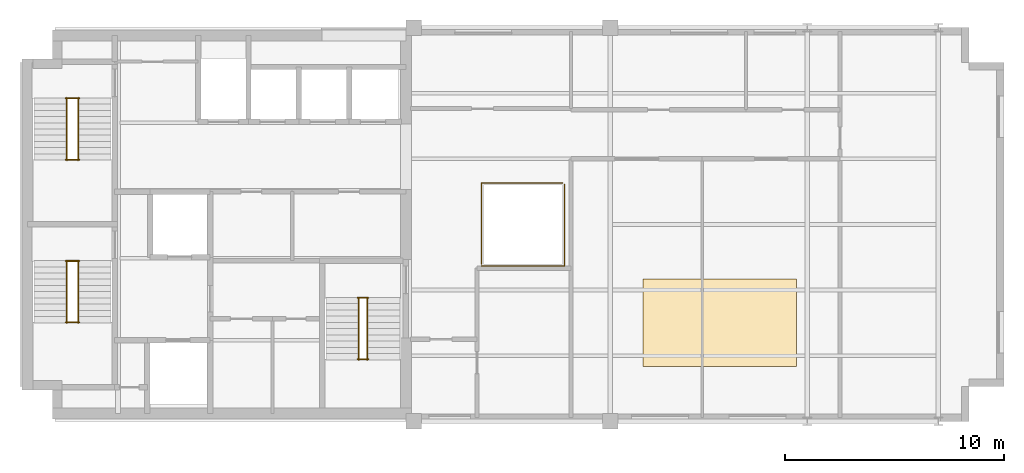
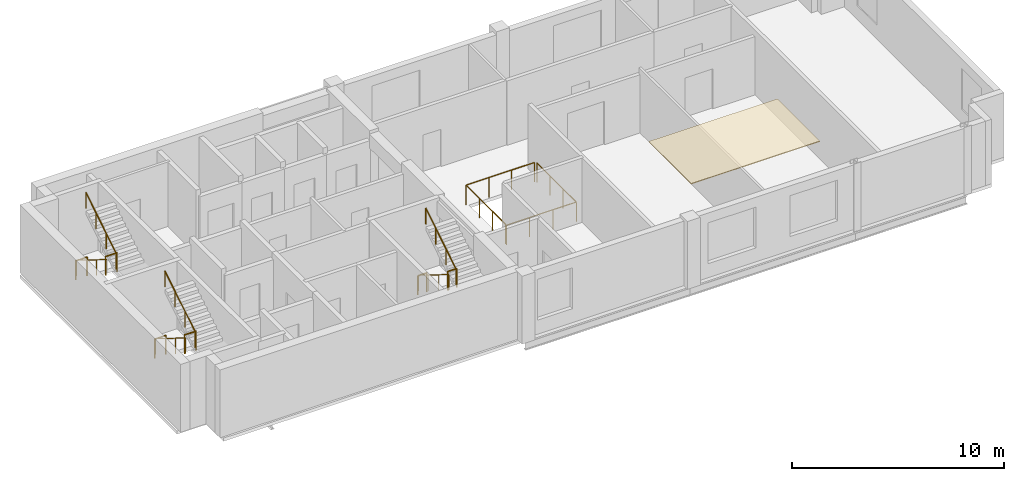
# One storey, part 5 of 5: 14 railings, 1 covering.
"""IFC4 building model written with IfcOpenShell, lengths in metres."""

from ifc_helpers import new_model, si_unit, direction, frame, origin, origin_2d, place, context, subcontext, project, spatial, polyline, circle, outline, extrude, material, layer, layer_set, type_object, element, save


model = new_model("IFC4")

# Units and contexts
model_context = context("Model", 3, precision=1e-05, world=origin(), true_north=direction((0.0, 1.0)))
body_context = subcontext(model_context, "Body", "Model", "MODEL_VIEW")
ifc_project = project(units=[si_unit("LENGTHUNIT", "METRE"), si_unit("AREAUNIT", "SQUARE_METRE"), si_unit("VOLUMEUNIT", "CUBIC_METRE"), si_unit("PLANEANGLEUNIT", "RADIAN"), si_unit("MASSUNIT", "GRAM", prefix="KILO")], contexts=[model_context])

# Site, building, storey
site_placement = place(None, origin())
site = spatial("IfcSite", under=ifc_project, at=site_placement, CompositionType="ELEMENT")
building_placement = place(site_placement, origin())
building = spatial("IfcBuilding", under=site, at=building_placement, Name="Mawjdan Bourse Tower", CompositionType="ELEMENT")
storey_placement = place(building_placement, frame((0.0, 0.0, 305.39990234375)))
storey = spatial("IfcBuildingStorey", under=building, at=storey_placement, Name="L75", CompositionType="ELEMENT", Elevation=305.39990234375)

# Covering
ifc_material_1 = material(Name="Perforated Mineral-Fibre Acoustic Ceiling")
ifc_layer = layer(ifc_material_1, 0.044921875)
ifc_layer_set = layer_set([ifc_layer], Name="Perforated Mineral-Fibre Acoustic Ceiling")
covering_type = type_object("IfcCoveringType", Name="COV-CLG-AC", PredefinedType="CEILING", material=ifc_layer_set)
covering_placement = place(storey_placement, frame((0.0, 0.0, 3.670166015625)))
element("IfcCovering", 1, at=covering_placement, inside=storey, type_object=covering_type, Name="L75 Suspended Acoustic Ceiling", PredefinedType="CEILING", context=body_context, shape_type="SweptSolid", body=[
    extrude(outline(polyline([(34.5, 5.5), (41.5, 5.5), (41.5, 9.5), (34.5, 9.5), (34.5, 5.5)])), origin(), (0.0, 0.0, 1.0), 0.044921875),
])

# Railings
ifc_material_2 = material(Name="Stainless Steel and Laminated Glass", Category="steel")
railing_type_1 = type_object("IfcRailingType", Name="RLG-BAL-1150", PredefinedType="BALUSTRADE", material=ifc_material_2)
railing_1_placement = place(storey_placement, frame((27.10009765625, 10.10009765625, 0.0)))
element("IfcRailing", 2, at=railing_1_placement, inside=storey, type_object=railing_type_1, Name="L75 Summit Atrium Lightwell Balustrade SE", PredefinedType="BALUSTRADE", context=body_context, shape_type="SweptSolid", body=[
    extrude(circle(Radius=0.02685546875, at=origin_2d()), frame((0.0, 0.0, 1.123046875), z_axis=(1.0, 0.0, 0.0), x_axis=(0.0, 1.0, 0.0)), (0.0, 0.0, 1.0), 3.7998046875),
    extrude(circle(Radius=0.02685546875, at=origin_2d()), frame((3.7998046875, 0.0, 1.123046875), z_axis=(0.0, 1.0, 0.0), x_axis=(-1.0, 0.0, 0.0)), (0.0, 0.0, 1.0), 3.719970703125),
    extrude(circle(Radius=0.02294921875, at=origin_2d()), origin(), (0.0, 0.0, 1.0), 1.095947265625),
    extrude(circle(Radius=0.02294921875, at=origin_2d()), frame((1.2666015625, 0.0, 0.0)), (0.0, 0.0, 1.0), 1.095947265625),
    extrude(circle(Radius=0.02294921875, at=origin_2d()), frame((2.533203125, 0.0, 0.0)), (0.0, 0.0, 1.0), 1.095947265625),
    extrude(circle(Radius=0.02294921875, at=origin_2d()), frame((3.7998046875, 0.0, 0.0)), (0.0, 0.0, 1.0), 1.095947265625),
    extrude(circle(Radius=0.02294921875, at=origin_2d()), frame((3.7998046875, 1.239990234375, 0.0)), (0.0, 0.0, 1.0), 1.095947265625),
    extrude(circle(Radius=0.02294921875, at=origin_2d()), frame((3.7998046875, 2.47998046875, 0.0)), (0.0, 0.0, 1.0), 1.095947265625),
    extrude(circle(Radius=0.02294921875, at=origin_2d()), frame((3.7998046875, 3.719970703125, 0.0)), (0.0, 0.0, 1.0), 1.095947265625),
])
railing_2_placement = place(storey_placement, frame((30.820068359375, 13.89990234375, 0.0)))
element("IfcRailing", 3, at=railing_2_placement, inside=storey, type_object=railing_type_1, Name="L75 Summit Atrium Lightwell Balustrade NW", PredefinedType="BALUSTRADE", context=body_context, shape_type="SweptSolid", body=[
    extrude(circle(Radius=0.02685546875, at=origin_2d()), frame((0.0, 0.0, 1.123046875), z_axis=(-1.0, 0.0, 0.0), x_axis=(0.0, -1.0, 0.0)), (0.0, 0.0, 1.0), 3.719970703125),
    extrude(circle(Radius=0.02685546875, at=origin_2d()), frame((-3.719970703125, 0.0, 1.123046875), z_axis=(0.0, -1.0, 0.0), x_axis=(1.0, 0.0, 0.0)), (0.0, 0.0, 1.0), 3.719970703125),
    extrude(circle(Radius=0.02294921875, at=origin_2d()), origin(), (0.0, 0.0, 1.0), 1.095947265625),
    extrude(circle(Radius=0.02294921875, at=origin_2d()), frame((-1.239990234375, 0.0, 0.0)), (0.0, 0.0, 1.0), 1.095947265625),
    extrude(circle(Radius=0.02294921875, at=origin_2d()), frame((-2.47998046875, 0.0, 0.0)), (0.0, 0.0, 1.0), 1.095947265625),
    extrude(circle(Radius=0.02294921875, at=origin_2d()), frame((-3.719970703125, 0.0, 0.0)), (0.0, 0.0, 1.0), 1.095947265625),
    extrude(circle(Radius=0.02294921875, at=origin_2d()), frame((-3.719970703125, -1.239990234375, 0.0)), (0.0, 0.0, 1.0), 1.095947265625),
    extrude(circle(Radius=0.02294921875, at=origin_2d()), frame((-3.719970703125, -2.47998046875, 0.0)), (0.0, 0.0, 1.0), 1.095947265625),
    extrude(circle(Radius=0.02294921875, at=origin_2d()), frame((-3.719970703125, -3.719970703125, 0.0)), (0.0, 0.0, 1.0), 1.095947265625),
])
ifc_material_3 = material(Name="Structural Steel S355", Category="steel")
railing_type_2 = type_object("IfcRailingType", Name="RLG-GRD-1100", PredefinedType="GUARDRAIL", material=ifc_material_3)
for number, where, name in (
    (4, (8.090087890625, 7.52001953125, 1.9501953125), "L75 ST1 Landing Guardrail GL-MID"),
    (5, (8.090087890625, 10.330078125, 0.0), "L75 ST1 Landing Guardrail GL-BOT"),
    (6, (8.090087890625, 14.9599609375, 1.9501953125), "L75 ST2 Landing Guardrail GL-MID"),
    (7, (8.090087890625, 17.77001953125, 0.0), "L75 ST2 Landing Guardrail GL-BOT"),
):
    element("IfcRailing", number, at=place(storey_placement, frame(where)), inside=storey, type_object=railing_type_2, Name=name, PredefinedType="GUARDRAIL", context=body_context, shape_type="SweptSolid", body=[
        extrude(circle(Radius=0.02490234375, at=origin_2d()), frame((0.0, 0.0, 1.0751953125), z_axis=(1.0, 0.0, 0.0), x_axis=(0.0, 1.0, 0.0)), (0.0, 0.0, 1.0), 0.619873046875),
        extrude(circle(Radius=0.02099609375, at=origin_2d()), origin(), (0.0, 0.0, 1.0), 1.050048828125),
        extrude(circle(Radius=0.02099609375, at=origin_2d()), frame((0.619873046875, 0.0, 0.0)), (0.0, 0.0, 1.0), 1.050048828125),
    ])
for number, where, name in (
    (8, (21.43994140625, 5.830078125, 1.9501953125), "L75 ST7 Landing Guardrail GL-MID"),
    (9, (21.43994140625, 8.639892578125, 0.0), "L75 ST7 Landing Guardrail GL-BOT"),
):
    element("IfcRailing", number, at=place(storey_placement, frame(where)), inside=storey, type_object=railing_type_2, Name=name, PredefinedType="GUARDRAIL", context=body_context, shape_type="SweptSolid", body=[
        extrude(circle(Radius=0.02490234375, at=origin_2d()), frame((0.0, 0.0, 1.0751953125), z_axis=(1.0, 0.0, 0.0), x_axis=(0.0, 1.0, 0.0)), (0.0, 0.0, 1.0), 0.489990234375),
        extrude(circle(Radius=0.02099609375, at=origin_2d()), origin(), (0.0, 0.0, 1.0), 1.050048828125),
        extrude(circle(Radius=0.02099609375, at=origin_2d()), frame((0.489990234375, 0.0, 0.0)), (0.0, 0.0, 1.0), 1.050048828125),
    ])
ifc_material_4 = material(Name="Brushed Stainless Steel", Category="steel")
railing_type_3 = type_object("IfcRailingType", Name="RLG-HND-920", PredefinedType="HANDRAIL", material=ifc_material_4)
railing_3_placement = place(storey_placement, frame((8.139892578125, 10.35009765625, 0.177490234375)))
element("IfcRailing", 10, at=railing_3_placement, inside=storey, type_object=railing_type_3, Name="L75 ST1 Flight Handrail HR1", PredefinedType="HANDRAIL", context=body_context, shape_type="SweptSolid", body=[
    extrude(circle(Radius=0.0224609375, at=origin_2d()), frame((0.0, 0.0, 0.8974609375), z_axis=(0.0, -0.849148672731, 0.528153890072), x_axis=(1.0, 0.0, 0.0)), (0.0, 0.0, 1.0), 3.3564453125),
    extrude(circle(Radius=0.01904296875, at=origin_2d()), origin(), (0.0, 0.0, 1.0), 0.875),
    extrude(circle(Radius=0.01904296875, at=origin_2d()), frame((0.0, -0.949951171875, 0.5908203125)), (0.0, 0.0, 1.0), 0.875),
    extrude(circle(Radius=0.01904296875, at=origin_2d()), frame((0.0, -1.900146484375, 1.181884765625)), (0.0, 0.0, 1.0), 0.875),
    extrude(circle(Radius=0.01904296875, at=origin_2d()), frame((0.0, -2.85009765625, 1.772705078125)), (0.0, 0.0, 1.0), 0.875),
])
railing_4_placement = place(storey_placement, frame((8.659912109375, 7.5, 2.12744140625)))
element("IfcRailing", 11, at=railing_4_placement, inside=storey, type_object=railing_type_3, Name="L75 ST1 Flight Handrail HR2", PredefinedType="HANDRAIL", context=body_context, shape_type="SweptSolid", body=[
    extrude(circle(Radius=0.0224609375, at=origin_2d()), frame((0.0, 0.0, 0.8974609375), z_axis=(0.0, 0.849148672731, 0.528153890072), x_axis=(-1.0, 0.0, 0.0)), (0.0, 0.0, 1.0), 3.3564453125),
    extrude(circle(Radius=0.01904296875, at=origin_2d()), origin(), (0.0, 0.0, 1.0), 0.875),
    extrude(circle(Radius=0.01904296875, at=origin_2d()), frame((0.0, 0.949951171875, 0.5908203125)), (0.0, 0.0, 1.0), 0.875),
    extrude(circle(Radius=0.01904296875, at=origin_2d()), frame((0.0, 1.900146484375, 1.181884765625)), (0.0, 0.0, 1.0), 0.875),
    extrude(circle(Radius=0.01904296875, at=origin_2d()), frame((0.0, 2.85009765625, 1.772705078125)), (0.0, 0.0, 1.0), 0.875),
])
railing_5_placement = place(storey_placement, frame((8.139892578125, 17.7900390625, 0.177490234375)))
element("IfcRailing", 12, at=railing_5_placement, inside=storey, type_object=railing_type_3, Name="L75 ST2 Flight Handrail HR1", PredefinedType="HANDRAIL", context=body_context, shape_type="SweptSolid", body=[
    extrude(circle(Radius=0.0224609375, at=origin_2d()), frame((0.0, 0.0, 0.8974609375), z_axis=(0.0, -0.849148672731, 0.528153890072), x_axis=(1.0, 0.0, 0.0)), (0.0, 0.0, 1.0), 3.3564453125),
    extrude(circle(Radius=0.01904296875, at=origin_2d()), origin(), (0.0, 0.0, 1.0), 0.875),
    extrude(circle(Radius=0.01904296875, at=origin_2d()), frame((0.0, -0.949951171875, 0.5908203125)), (0.0, 0.0, 1.0), 0.875),
    extrude(circle(Radius=0.01904296875, at=origin_2d()), frame((0.0, -1.900146484375, 1.181884765625)), (0.0, 0.0, 1.0), 0.875),
    extrude(circle(Radius=0.01904296875, at=origin_2d()), frame((0.0, -2.85009765625, 1.772705078125)), (0.0, 0.0, 1.0), 0.875),
])
railing_6_placement = place(storey_placement, frame((8.659912109375, 14.93994140625, 2.12744140625)))
element("IfcRailing", 13, at=railing_6_placement, inside=storey, type_object=railing_type_3, Name="L75 ST2 Flight Handrail HR2", PredefinedType="HANDRAIL", context=body_context, shape_type="SweptSolid", body=[
    extrude(circle(Radius=0.0224609375, at=origin_2d()), frame((0.0, 0.0, 0.8974609375), z_axis=(0.0, 0.849148672731, 0.528153890072), x_axis=(-1.0, 0.0, 0.0)), (0.0, 0.0, 1.0), 3.3564453125),
    extrude(circle(Radius=0.01904296875, at=origin_2d()), origin(), (0.0, 0.0, 1.0), 0.875),
    extrude(circle(Radius=0.01904296875, at=origin_2d()), frame((0.0, 0.949951171875, 0.5908203125)), (0.0, 0.0, 1.0), 0.875),
    extrude(circle(Radius=0.01904296875, at=origin_2d()), frame((0.0, 1.900146484375, 1.181884765625)), (0.0, 0.0, 1.0), 0.875),
    extrude(circle(Radius=0.01904296875, at=origin_2d()), frame((0.0, 2.85009765625, 1.772705078125)), (0.0, 0.0, 1.0), 0.875),
])
railing_7_placement = place(storey_placement, frame((21.489990234375, 8.659912109375, 0.177490234375)))
element("IfcRailing", 14, at=railing_7_placement, inside=storey, type_object=railing_type_3, Name="L75 ST7 Flight Handrail HR1", PredefinedType="HANDRAIL", context=body_context, shape_type="SweptSolid", body=[
    extrude(circle(Radius=0.0224609375, at=origin_2d()), frame((0.0, 0.0, 0.8974609375), z_axis=(0.0, -0.849128380713, 0.528186513523), x_axis=(1.0, 0.0, 0.0)), (0.0, 0.0, 1.0), 3.356201171875),
    extrude(circle(Radius=0.01904296875, at=origin_2d()), origin(), (0.0, 0.0, 1.0), 0.875),
    extrude(circle(Radius=0.01904296875, at=origin_2d()), frame((0.0, -0.949951171875, 0.5908203125)), (0.0, 0.0, 1.0), 0.875),
    extrude(circle(Radius=0.01904296875, at=origin_2d()), frame((0.0, -1.89990234375, 1.181884765625)), (0.0, 0.0, 1.0), 0.875),
    extrude(circle(Radius=0.01904296875, at=origin_2d()), frame((0.0, -2.849853515625, 1.772705078125)), (0.0, 0.0, 1.0), 0.875),
])
railing_8_placement = place(storey_placement, frame((21.8798828125, 5.81005859375, 2.12744140625)))
element("IfcRailing", 15, at=railing_8_placement, inside=storey, type_object=railing_type_3, Name="L75 ST7 Flight Handrail HR2", PredefinedType="HANDRAIL", context=body_context, shape_type="SweptSolid", body=[
    extrude(circle(Radius=0.0224609375, at=origin_2d()), frame((0.0, 0.0, 0.8974609375), z_axis=(0.0, 0.849128380713, 0.528186513523), x_axis=(-1.0, 0.0, 0.0)), (0.0, 0.0, 1.0), 3.356201171875),
    extrude(circle(Radius=0.01904296875, at=origin_2d()), origin(), (0.0, 0.0, 1.0), 0.875),
    extrude(circle(Radius=0.01904296875, at=origin_2d()), frame((0.0, 0.949951171875, 0.5908203125)), (0.0, 0.0, 1.0), 0.875),
    extrude(circle(Radius=0.01904296875, at=origin_2d()), frame((0.0, 1.89990234375, 1.181884765625)), (0.0, 0.0, 1.0), 0.875),
    extrude(circle(Radius=0.01904296875, at=origin_2d()), frame((0.0, 2.849853515625, 1.772705078125)), (0.0, 0.0, 1.0), 0.875),
])

save(model, "model.ifc")
